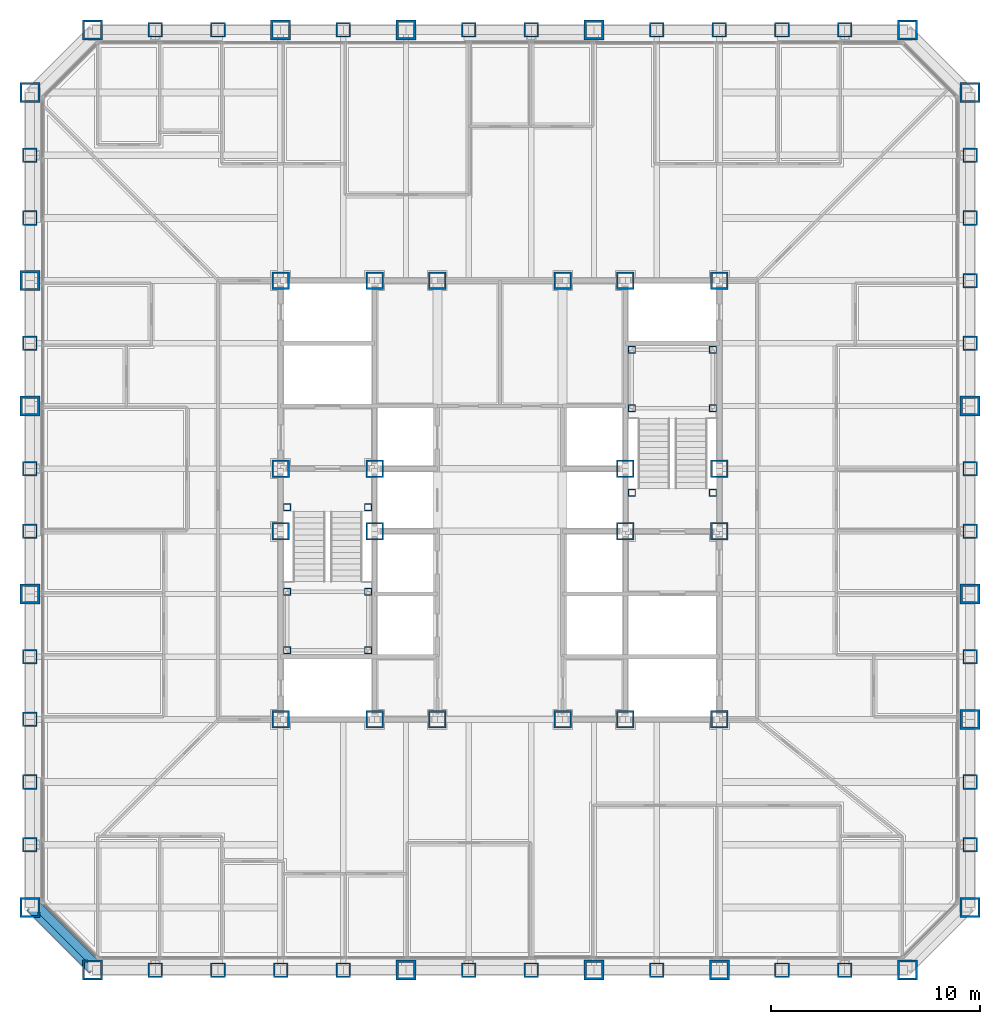
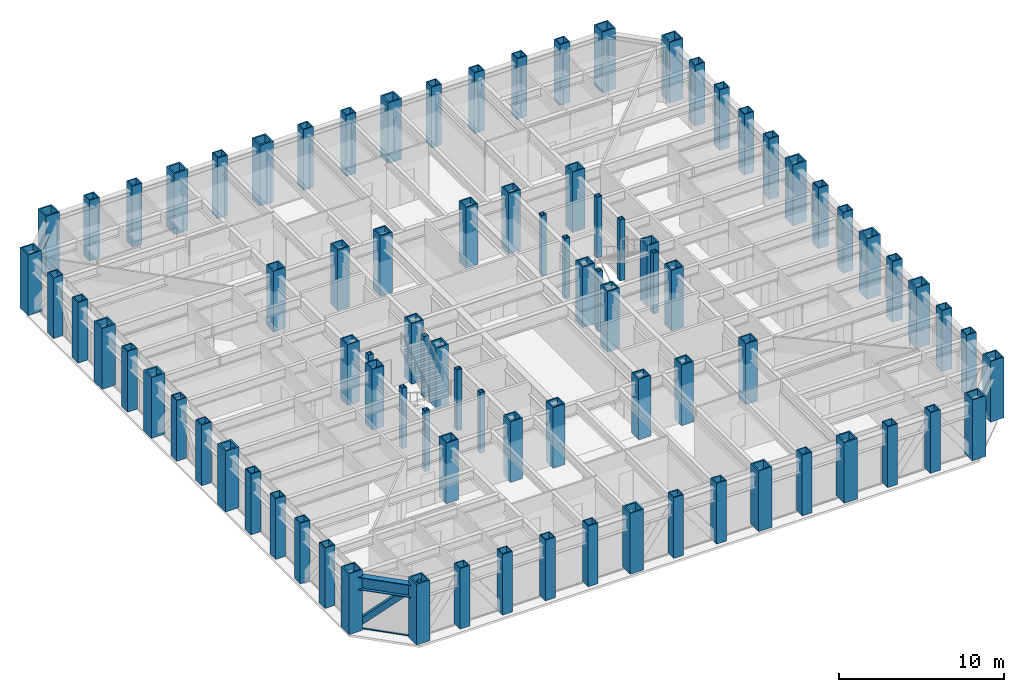
# One storey, part 1 of 17: 88 columns, 2 members, 1 beam, 1 element without a shape of its own.
"""IFC4 building model written with IfcOpenShell, lengths in metres."""

import ifcopenshell
import ifcopenshell.guid

model = None  # the IFC model being written
_history = None  # IfcOwnerHistory: only IFC2X3 demands one
_inside = {}  # id of a spatial element -> (the spatial element, [elements in it])
_under = {}  # id of a project, library or spatial element -> (it, [spatial elements below it])
_declared = {}  # id of a project -> (the project, [libraries it declares])
_typed = {}  # id of a type object -> (the type object, [elements of that type])
_made_of = {}  # id of a material, layer set ... -> (it, [elements and type objects made of it])


def new_model(schema):
    """Start an empty IFC model of exactly this schema.

    Asked for "IFC4X3", IfcOpenShell would pick the latest addendum, in which some entities
    have other attributes; the version numbers below select the first issue.
    IFC2X3 requires an IfcOwnerHistory on every rooted entity: one is made here for all.
    """
    global model, _history
    if schema == "IFC4X3":
        model = ifcopenshell.file(schema_version=(4, 3, 0, 0))
    else:
        model = ifcopenshell.file(schema=schema)
    _inside.clear()
    _under.clear()
    _declared.clear()
    _typed.clear()
    _made_of.clear()
    _history = None
    if model.schema == "IFC2X3":
        org = make("IfcOrganization", Name="unknown")
        user = make(
            "IfcPersonAndOrganization",
            ThePerson=make("IfcPerson", FamilyName="unknown"),
            TheOrganization=org,
        )
        app = make(
            "IfcApplication",
            ApplicationDeveloper=org,
            Version="unknown",
            ApplicationFullName="unknown",
            ApplicationIdentifier="unknown",
        )
        _history = make(
            "IfcOwnerHistory",
            OwningUser=user,
            OwningApplication=app,
            ChangeAction="ADDED",
            CreationDate=0,
        )
    return model


def make(cls, **values):
    """One entity of the class cls with the attributes given. An attribute that is None is left unset."""
    return model.create_entity(
        cls, **{name: value for name, value in values.items() if value is not None}
    )


def rooted(cls, **values):
    """An entity with a GlobalId (a new one), such as an element, a storey or a relation."""
    return make(cls, GlobalId=ifcopenshell.guid.new(), OwnerHistory=_history, **values)


def si_unit(unit_type, name, prefix=None):
    """IfcSIUnit, for example si_unit("LENGTHUNIT", "METRE", prefix="MILLI")."""
    return make("IfcSIUnit", UnitType=unit_type, Prefix=prefix, Name=name)


def assignment(units):
    """IfcUnitAssignment: the units of a project."""
    return None if units is None else make("IfcUnitAssignment", Units=units)


def point(xyz):
    """IfcCartesianPoint."""
    return None if xyz is None else make("IfcCartesianPoint", Coordinates=xyz)


def direction(xyz):
    """IfcDirection."""
    return None if xyz is None else make("IfcDirection", DirectionRatios=xyz)


def frame(location, z_axis=None, x_axis=None):
    """IfcAxis2Placement3D, a coordinate frame: its origin and axes. An axis left out is left unset."""
    return make(
        "IfcAxis2Placement3D",
        Location=point(location),
        Axis=direction(z_axis),
        RefDirection=direction(x_axis),
    )


def frame_2d(location, x_axis=None):
    """IfcAxis2Placement2D, a coordinate frame in the plane: its origin and x axis."""
    return make(
        "IfcAxis2Placement2D", Location=point(location), RefDirection=direction(x_axis)
    )


def origin():
    """The frame at (0, 0, 0) with its axes left unset."""
    return frame((0.0, 0.0, 0.0))


def origin_2d():
    """The frame at (0, 0) in the plane with its x axis left unset."""
    return frame_2d((0.0, 0.0))


def place(relative_to, where):
    """IfcLocalPlacement: puts the frame where relative to a parent placement (None: the world)."""
    return make(
        "IfcLocalPlacement", PlacementRelTo=relative_to, RelativePlacement=where
    )


def context(
    kind, dimensions, precision=None, world=None, true_north=None, identifier=None
):
    """IfcGeometricRepresentationContext, for example the 3D "Model" context."""
    return make(
        "IfcGeometricRepresentationContext",
        ContextIdentifier=identifier,
        ContextType=kind,
        CoordinateSpaceDimension=dimensions,
        Precision=precision,
        WorldCoordinateSystem=world,
        TrueNorth=true_north,
    )


def subcontext(parent, identifier, kind, view, scale=None):
    """IfcGeometricRepresentationSubContext, for example "Body" below "Model"."""
    return make(
        "IfcGeometricRepresentationSubContext",
        ContextIdentifier=identifier,
        ContextType=kind,
        ParentContext=parent,
        TargetScale=scale,
        TargetView=view,
    )


def project(units=None, contexts=None):
    """IfcProject with its units and contexts."""
    return rooted(
        "IfcProject",
        Name="project",
        RepresentationContexts=contexts,
        UnitsInContext=assignment(units),
    )


def spatial(cls, under=None, at=None, **own):
    """A site, building, storey or space (cls), placed at a placement, below another one or the project."""
    s = rooted(cls, ObjectPlacement=at, **own)
    if under is not None:
        _under.setdefault(under.id(), (under, []))[1].append(s)
    return s


def profile(cls, at=None, kind="AREA", **sizes):
    """A parametric profile (cls). Its sizes go by their IFC names, for example OverallWidth=200.0."""
    return make(cls, ProfileType=kind, Position=at, **sizes)


def rectangle(**sizes):
    """IfcRectangleProfileDef."""
    return profile("IfcRectangleProfileDef", **sizes)


def hollow_rectangle(**sizes):
    """IfcRectangleHollowProfileDef."""
    return profile("IfcRectangleHollowProfileDef", **sizes)


def i_section(**sizes):
    """IfcIShapeProfileDef."""
    return profile("IfcIShapeProfileDef", **sizes)


def extrude(swept, where, along, depth):
    """IfcExtrudedAreaSolid: the profile swept, set in the frame where, extruded along a direction by depth."""
    return make(
        "IfcExtrudedAreaSolid",
        SweptArea=swept,
        Position=where,
        ExtrudedDirection=direction(along),
        Depth=depth,
    )


def shape(context_of_items, identifier, shape_type, items):
    """IfcShapeRepresentation: the items that make up one representation, for example the "Body"."""
    return make(
        "IfcShapeRepresentation",
        ContextOfItems=context_of_items,
        RepresentationIdentifier=identifier,
        RepresentationType=shape_type,
        Items=items,
    )


def material(Name=None, Category=None):
    """IfcMaterial."""
    return make("IfcMaterial", Name=Name, Category=Category)


def layer(
    of_material, thickness, ventilated=None, Name=None, Category=None, Priority=None
):
    """IfcMaterialLayer: one layer of a wall or slab, of a material (None: an air gap)."""
    return make(
        "IfcMaterialLayer",
        Material=of_material,
        LayerThickness=thickness,
        IsVentilated=ventilated,
        Name=Name,
        Category=Category,
        Priority=Priority,
    )


def layer_set(layers, Name=None):
    """IfcMaterialLayerSet."""
    return make("IfcMaterialLayerSet", MaterialLayers=layers, LayerSetName=Name)


def material_profile(
    of_material, cross_section, Name=None, Category=None, Priority=None
):
    """IfcMaterialProfile: a cross section and its material."""
    return make(
        "IfcMaterialProfile",
        Name=Name,
        Material=of_material,
        Profile=cross_section,
        Priority=Priority,
        Category=Category,
    )


def profile_set(profiles, Name=None, composite=None):
    """IfcMaterialProfileSet."""
    return make(
        "IfcMaterialProfileSet",
        Name=Name,
        MaterialProfiles=profiles,
        CompositeProfile=composite,
    )


def made_of(thing, what):
    """Note that an element or type object is made of a material, layer set ...; save() writes the relation."""
    if what is not None:
        _made_of.setdefault(what.id(), (what, []))[1].append(thing)
    return thing


def type_object(cls, material=None, **own):
    """A type object (cls), such as IfcWallType, which elements share."""
    return made_of(rooted(cls, **own), material)


def element(
    cls,
    number,
    at=None,
    inside=None,
    cuts=None,
    type_object=None,
    material=None,
    context=None,
    identifier="Body",
    shape_type=None,
    held_by="IfcProductDefinitionShape",
    body=None,
    shapes=None,
    **own,
):
    """One element of the class cls, such as IfcWall. Its Tag is "e" and its number.

    at: its placement. inside: the storey or other place that contains it. cuts: it is an
    opening in that element (IfcRelVoidsElement). A single representation is given by context,
    identifier, shape_type and body (its items); several are given by shapes. held_by: the class
    of the entity that holds the representations. save() writes the other relations.
    """
    e = rooted(cls, Tag="e%d" % number, ObjectPlacement=at, **own)
    if body is not None:
        shapes = [shape(context, identifier, shape_type, body)]
    if shapes is not None:
        e.Representation = make(held_by, Representations=shapes)
    if inside is not None:
        _inside.setdefault(inside.id(), (inside, []))[1].append(e)
    if cuts is not None:
        rooted(
            "IfcRelVoidsElement", RelatingBuildingElement=cuts, RelatedOpeningElement=e
        )
    if type_object is not None:
        _typed.setdefault(type_object.id(), (type_object, []))[1].append(e)
    return made_of(e, material)


def aggregate(whole, parts):
    """IfcRelAggregates: a whole, such as a stair, and the parts it consists of."""
    return rooted("IfcRelAggregates", RelatingObject=whole, RelatedObjects=parts)


def save(model, path):
    """Write the relations noted so far, then the file.

    IfcRelAggregates (storeys below a building ...), IfcRelContainedInSpatialStructure (elements
    in a storey), IfcRelDefinesByType, IfcRelAssociatesMaterial and IfcRelDeclares: one each for
    every whole, place, type object, material and project.
    """
    for whole, parts in _under.values():
        aggregate(whole, parts)
    for where, things in _inside.values():
        rooted(
            "IfcRelContainedInSpatialStructure",
            RelatedElements=things,
            RelatingStructure=where,
        )
    for kind, things in _typed.values():
        rooted("IfcRelDefinesByType", RelatedObjects=things, RelatingType=kind)
    for what, things in _made_of.values():
        rooted("IfcRelAssociatesMaterial", RelatedObjects=things, RelatingMaterial=what)
    for by, libraries in _declared.values():
        rooted("IfcRelDeclares", RelatingContext=by, RelatedDefinitions=libraries)
    model.write(path)


model = new_model("IFC4")

# Units and contexts
model_context = context("Model", 3, precision=1e-05, world=origin(), true_north=direction((0.0, 1.0)))
body_context = subcontext(model_context, "Body", "Model", "MODEL_VIEW")
ifc_project = project(units=[si_unit("LENGTHUNIT", "METRE"), si_unit("AREAUNIT", "SQUARE_METRE"), si_unit("VOLUMEUNIT", "CUBIC_METRE"), si_unit("PLANEANGLEUNIT", "RADIAN"), si_unit("MASSUNIT", "GRAM", prefix="KILO")], contexts=[model_context])

# Site, building, storey
site_placement = place(None, origin())
site = spatial("IfcSite", under=ifc_project, at=site_placement, CompositionType="ELEMENT")
building_placement = place(site_placement, origin())
building = spatial("IfcBuilding", under=site, at=building_placement, Name="Chuquiago Exchange Tower", CompositionType="ELEMENT")
storey_placement = place(building_placement, frame((0.0, 0.0, 42.300048828125)))
storey = spatial("IfcBuildingStorey", under=building, at=storey_placement, Name="L08", CompositionType="ELEMENT", Elevation=42.300048828125)

# Columns
ifc_material_1 = material(Name="Steel ASTM A572 Grade 50", Category="steel")
ifc_material_profile_1 = material_profile(ifc_material_1, hollow_rectangle(XDim=0.699951171875, YDim=0.699951171875, WallThickness=0.070068359375, at=origin_2d()), Name="BOX700X700X70")
ifc_profile_set_1 = profile_set([ifc_material_profile_1], Name="Steel ASTM A572 Grade 50")
column_type_1 = type_object("IfcColumnType", Name="C2 BOX700X700X70", PredefinedType="COLUMN", material=ifc_profile_set_1)
for number, where, z_axis, x_axis, name in (
    (1, (6.0, 0.0, 0.0), (0.0, 0.0, 1.0), (0.0, -1.0, 0.0), "COL-L08-6_0"),
    (2, (9.0, 0.0, 0.0), (0.0, 0.0, 1.0), (0.0, -1.0, 0.0), "COL-L08-9_0"),
    (3, (12.0, 0.0, 0.0), (0.0, 0.0, 1.0), (0.0, -1.0, 0.0), "COL-L08-12_0"),
    (4, (15.0, 0.0, 0.0), (0.0, 0.0, 1.0), (0.0, -1.0, 0.0), "COL-L08-15_0"),
    (5, (21.0, 0.0, 0.0), (0.0, 0.0, 1.0), (0.0, -1.0, 0.0), "COL-L08-21_0"),
    (6, (24.0, 0.0, 0.0), (0.0, 0.0, 1.0), (0.0, -1.0, 0.0), "COL-L08-24_0"),
    (7, (30.0, 0.0, 0.0), (0.0, 0.0, 1.0), (0.0, -1.0, 0.0), "COL-L08-30_0"),
    (8, (36.0, 0.0, 0.0), (0.0, 0.0, 1.0), (0.0, -1.0, 0.0), "COL-L08-36_0"),
    (9, (39.0, 0.0, 0.0), (0.0, 0.0, 1.0), (0.0, -1.0, 0.0), "COL-L08-39_0"),
    (10, (45.0, 6.0, 0.0), (0.0, 0.0, 1.0), (1.0, 0.0, 0.0), "COL-L08-45_6"),
    (11, (45.0, 9.0, 0.0), (0.0, 0.0, 1.0), (1.0, 0.0, 0.0), "COL-L08-45_9"),
    (12, (45.0, 15.0, 0.0), (0.0, 0.0, 1.0), (1.0, 0.0, 0.0), "COL-L08-45_15"),
    (13, (45.0, 21.0, 0.0), (0.0, 0.0, 1.0), (1.0, 0.0, 0.0), "COL-L08-45_21"),
    (14, (45.0, 24.0, 0.0), (0.0, 0.0, 1.0), (1.0, 0.0, 0.0), "COL-L08-45_24"),
    (15, (45.0, 30.0, 0.0), (0.0, 0.0, 1.0), (1.0, 0.0, 0.0), "COL-L08-45_30"),
    (16, (45.0, 33.0, 0.0), (0.0, 0.0, 1.0), (1.0, 0.0, 0.0), "COL-L08-45_33"),
    (17, (45.0, 36.0, 0.0), (0.0, 0.0, 1.0), (1.0, 0.0, 0.0), "COL-L08-45_36"),
    (18, (45.0, 39.0, 0.0), (0.0, 0.0, 1.0), (1.0, 0.0, 0.0), "COL-L08-45_39"),
    (19, (39.0, 45.0, 0.0), (0.0, 0.0, 1.0), (0.0, 1.0, 0.0), "COL-L08-39_45"),
    (20, (36.0, 45.0, 0.0), (0.0, 0.0, 1.0), (0.0, 1.0, 0.0), "COL-L08-36_45"),
    (21, (33.0, 45.0, 0.0), (0.0, 0.0, 1.0), (0.0, 1.0, 0.0), "COL-L08-33_45"),
    (22, (30.0, 45.0, 0.0), (0.0, 0.0, 1.0), (0.0, 1.0, 0.0), "COL-L08-30_45"),
    (23, (24.0, 45.0, 0.0), (0.0, 0.0, 1.0), (0.0, 1.0, 0.0), "COL-L08-24_45"),
    (24, (21.0, 45.0, 0.0), (0.0, 0.0, 1.0), (0.0, 1.0, 0.0), "COL-L08-21_45"),
    (25, (15.0, 45.0, 0.0), (0.0, 0.0, 1.0), (0.0, 1.0, 0.0), "COL-L08-15_45"),
    (26, (9.0, 45.0, 0.0), (0.0, 0.0, 1.0), (0.0, 1.0, 0.0), "COL-L08-9_45"),
    (27, (6.0, 45.0, 0.0), (0.0, 0.0, 1.0), (0.0, 1.0, 0.0), "COL-L08-6_45"),
    (28, (0.0, 39.0, 0.0), (0.0, 0.0, 1.0), (-1.0, 0.0, 0.0), "COL-L08-0_39"),
    (29, (0.0, 36.0, 0.0), (0.0, 0.0, 1.0), (-1.0, 0.0, 0.0), "COL-L08-0_36"),
    (30, (0.0, 30.0, 0.0), (0.0, 0.0, 1.0), (-1.0, 0.0, 0.0), "COL-L08-0_30"),
    (31, (0.0, 24.0, 0.0), (0.0, 0.0, 1.0), (-1.0, 0.0, 0.0), "COL-L08-0_24"),
    (32, (0.0, 21.0, 0.0), (0.0, 0.0, 1.0), (-1.0, 0.0, 0.0), "COL-L08-0_21"),
    (33, (0.0, 15.0, 0.0), (0.0, 0.0, 1.0), (-1.0, 0.0, 0.0), "COL-L08-0_15"),
    (34, (0.0, 12.0, 0.0), (0.0, 0.0, 1.0), (-1.0, 0.0, 0.0), "COL-L08-0_12"),
    (35, (0.0, 9.0, 0.0), (0.0, 0.0, 1.0), (-1.0, 0.0, 0.0), "COL-L08-0_9"),
    (36, (0.0, 6.0, 0.0), (0.0, 0.0, 1.0), (-1.0, 0.0, 0.0), "COL-L08-0_6"),
):
    element("IfcColumn", number, at=place(storey_placement, frame(where, z_axis=z_axis, x_axis=x_axis)), inside=storey, type_object=column_type_1, Name=name, PredefinedType="COLUMN", context=body_context, shape_type="SweptSolid", body=[
        extrude(hollow_rectangle(XDim=0.699951171875, YDim=0.699951171875, WallThickness=0.070068359375, at=origin_2d()), origin(), (0.0, 0.0, 1.0), 4.5),
    ])
ifc_material_2 = material(Name="Steel ASTM A572 Grade 50", Category="steel")
ifc_material_profile_2 = material_profile(ifc_material_2, hollow_rectangle(XDim=0.85009765625, YDim=0.85009765625, WallThickness=0.0849609375, at=origin_2d()), Name="BOX850X850X85")
ifc_profile_set_2 = profile_set([ifc_material_profile_2], Name="Steel ASTM A572 Grade 50")
column_type_2 = type_object("IfcColumnType", Name="CC2 BOX850X850X85", PredefinedType="COLUMN", material=ifc_profile_set_2)
for number, where, z_axis, x_axis, name in (
    (37, (16.5, 12.0, 0.0), (0.0, 0.0, 1.0), (1.0, 0.0, 0.0), "CCOL-L08-16.5_12"),
    (38, (19.5, 12.0, 0.0), (0.0, 0.0, 1.0), (1.0, 0.0, 0.0), "CCOL-L08-19.5_12"),
    (39, (25.5, 12.0, 0.0), (0.0, 0.0, 1.0), (1.0, 0.0, 0.0), "CCOL-L08-25.5_12"),
    (40, (28.5, 12.0, 0.0), (0.0, 0.0, 1.0), (1.0, 0.0, 0.0), "CCOL-L08-28.5_12"),
    (41, (16.5, 33.0, 0.0), (0.0, 0.0, 1.0), (1.0, 0.0, 0.0), "CCOL-L08-16.5_33"),
    (42, (19.5, 33.0, 0.0), (0.0, 0.0, 1.0), (1.0, 0.0, 0.0), "CCOL-L08-19.5_33"),
    (43, (25.5, 33.0, 0.0), (0.0, 0.0, 1.0), (1.0, 0.0, 0.0), "CCOL-L08-25.5_33"),
    (44, (28.5, 33.0, 0.0), (0.0, 0.0, 1.0), (1.0, 0.0, 0.0), "CCOL-L08-28.5_33"),
    (45, (12.0, 21.0, 0.0), (0.0, 0.0, 1.0), (1.0, 0.0, 0.0), "CCOL-L08-12_21"),
    (46, (12.0, 24.0, 0.0), (0.0, 0.0, 1.0), (1.0, 0.0, 0.0), "CCOL-L08-12_24"),
    (47, (33.0, 21.0, 0.0), (0.0, 0.0, 1.0), (1.0, 0.0, 0.0), "CCOL-L08-33_21"),
    (48, (33.0, 24.0, 0.0), (0.0, 0.0, 1.0), (1.0, 0.0, 0.0), "CCOL-L08-33_24"),
    (49, (16.5, 21.0, 0.0), (0.0, 0.0, 1.0), (1.0, 0.0, 0.0), "CCOL-L08-16.5_21"),
    (50, (16.5, 24.0, 0.0), (0.0, 0.0, 1.0), (1.0, 0.0, 0.0), "CCOL-L08-16.5_24"),
    (51, (28.5, 21.0, 0.0), (0.0, 0.0, 1.0), (1.0, 0.0, 0.0), "CCOL-L08-28.5_21"),
    (52, (28.5, 24.0, 0.0), (0.0, 0.0, 1.0), (1.0, 0.0, 0.0), "CCOL-L08-28.5_24"),
):
    element("IfcColumn", number, at=place(storey_placement, frame(where, z_axis=z_axis, x_axis=x_axis)), inside=storey, type_object=column_type_2, Name=name, PredefinedType="COLUMN", context=body_context, shape_type="SweptSolid", body=[
        extrude(hollow_rectangle(XDim=0.85009765625, YDim=0.85009765625, WallThickness=0.0849609375, at=origin_2d()), origin(), (0.0, 0.0, 1.0), 4.5),
    ])
ifc_material_3 = material(Name="Steel ASTM A572 Grade 50", Category="steel")
ifc_material_profile_3 = material_profile(ifc_material_3, hollow_rectangle(XDim=0.85009765625, YDim=0.85009765625, WallThickness=0.0849609375, at=origin_2d()), Name="BOX850X850X85")
ifc_profile_set_3 = profile_set([ifc_material_profile_3], Name="Steel ASTM A572 Grade 50")
column_type_3 = type_object("IfcColumnType", Name="CC6 BOX850X850X85", PredefinedType="COLUMN", material=ifc_profile_set_3)
for number, where, z_axis, x_axis, name in (
    (53, (12.0, 12.0, 0.0), (0.0, 0.0, 1.0), (1.0, 0.0, 0.0), "CCOL-L08-12_12"),
    (54, (33.0, 12.0, 0.0), (0.0, 0.0, 1.0), (1.0, 0.0, 0.0), "CCOL-L08-33_12"),
    (55, (12.0, 33.0, 0.0), (0.0, 0.0, 1.0), (1.0, 0.0, 0.0), "CCOL-L08-12_33"),
    (56, (33.0, 33.0, 0.0), (0.0, 0.0, 1.0), (1.0, 0.0, 0.0), "CCOL-L08-33_33"),
):
    element("IfcColumn", number, at=place(storey_placement, frame(where, z_axis=z_axis, x_axis=x_axis)), inside=storey, type_object=column_type_3, Name=name, PredefinedType="COLUMN", context=body_context, shape_type="SweptSolid", body=[
        extrude(hollow_rectangle(XDim=0.85009765625, YDim=0.85009765625, WallThickness=0.0849609375, at=origin_2d()), origin(), (0.0, 0.0, 1.0), 4.5),
    ])
ifc_material_4 = material(Name="Steel ASTM A572 Grade 50", Category="steel")
ifc_material_profile_4 = material_profile(ifc_material_4, hollow_rectangle(XDim=0.949951171875, YDim=0.949951171875, WallThickness=0.094970703125, at=origin_2d()), Name="BOX950X950X95")
ifc_profile_set_4 = profile_set([ifc_material_profile_4], Name="Steel ASTM A572 Grade 50")
column_type_4 = type_object("IfcColumnType", Name="CN1 BOX950X950X95", PredefinedType="COLUMN", material=ifc_profile_set_4)
for number, where, z_axis, x_axis, name in (
    (57, (3.0, 0.0, 0.0), (0.0, 0.0, 1.0), (0.0, -1.0, 0.0), "COL-L08-3_0"),
    (58, (42.0, 0.0, 0.0), (0.0, 0.0, 1.0), (0.0, -1.0, 0.0), "COL-L08-42_0"),
    (59, (45.0, 3.0, 0.0), (0.0, 0.0, 1.0), (1.0, 0.0, 0.0), "COL-L08-45_3"),
    (60, (45.0, 42.0, 0.0), (0.0, 0.0, 1.0), (1.0, 0.0, 0.0), "COL-L08-45_42"),
    (61, (42.0, 45.0, 0.0), (0.0, 0.0, 1.0), (0.0, 1.0, 0.0), "COL-L08-42_45"),
    (62, (3.0, 45.0, 0.0), (0.0, 0.0, 1.0), (0.0, 1.0, 0.0), "COL-L08-3_45"),
    (63, (0.0, 42.0, 0.0), (0.0, 0.0, 1.0), (-1.0, 0.0, 0.0), "COL-L08-0_42"),
    (64, (0.0, 3.0, 0.0), (0.0, 0.0, 1.0), (-1.0, 0.0, 0.0), "COL-L08-0_3"),
):
    element("IfcColumn", number, at=place(storey_placement, frame(where, z_axis=z_axis, x_axis=x_axis)), inside=storey, type_object=column_type_4, Name=name, PredefinedType="COLUMN", context=body_context, shape_type="SweptSolid", body=[
        extrude(hollow_rectangle(XDim=0.949951171875, YDim=0.949951171875, WallThickness=0.094970703125, at=origin_2d()), origin(), (0.0, 0.0, 1.0), 4.5),
    ])
ifc_material_5 = material(Name="Steel ASTM A572 Grade 42", Category="steel")
ifc_material_profile_5 = material_profile(ifc_material_5, hollow_rectangle(XDim=0.949951171875, YDim=0.949951171875, WallThickness=0.110107421875, at=origin_2d()), Name="BOX950X950X110")
ifc_profile_set_5 = profile_set([ifc_material_profile_5], Name="Steel ASTM A572 Grade 42")
column_type_5 = type_object("IfcColumnType", Name="CT1 BOX950X950X110", PredefinedType="COLUMN", material=ifc_profile_set_5)
for number, where, z_axis, x_axis, name in (
    (65, (18.0, 0.0, 0.0), (0.0, 0.0, 1.0), (0.0, -1.0, 0.0), "COL-L08-18_0"),
    (66, (27.0, 0.0, 0.0), (0.0, 0.0, 1.0), (0.0, -1.0, 0.0), "COL-L08-27_0"),
    (67, (33.0, 0.0, 0.0), (0.0, 0.0, 1.0), (0.0, -1.0, 0.0), "COL-L08-33_0"),
    (68, (45.0, 12.0, 0.0), (0.0, 0.0, 1.0), (1.0, 0.0, 0.0), "COL-L08-45_12"),
    (69, (45.0, 18.0, 0.0), (0.0, 0.0, 1.0), (1.0, 0.0, 0.0), "COL-L08-45_18"),
    (70, (45.0, 27.0, 0.0), (0.0, 0.0, 1.0), (1.0, 0.0, 0.0), "COL-L08-45_27"),
    (71, (27.0, 45.0, 0.0), (0.0, 0.0, 1.0), (0.0, 1.0, 0.0), "COL-L08-27_45"),
    (72, (18.0, 45.0, 0.0), (0.0, 0.0, 1.0), (0.0, 1.0, 0.0), "COL-L08-18_45"),
    (73, (12.0, 45.0, 0.0), (0.0, 0.0, 1.0), (0.0, 1.0, 0.0), "COL-L08-12_45"),
    (74, (0.0, 33.0, 0.0), (0.0, 0.0, 1.0), (-1.0, 0.0, 0.0), "COL-L08-0_33"),
    (75, (0.0, 27.0, 0.0), (0.0, 0.0, 1.0), (-1.0, 0.0, 0.0), "COL-L08-0_27"),
    (76, (0.0, 18.0, 0.0), (0.0, 0.0, 1.0), (-1.0, 0.0, 0.0), "COL-L08-0_18"),
):
    element("IfcColumn", number, at=place(storey_placement, frame(where, z_axis=z_axis, x_axis=x_axis)), inside=storey, type_object=column_type_5, Name=name, PredefinedType="COLUMN", context=body_context, shape_type="SweptSolid", body=[
        extrude(hollow_rectangle(XDim=0.949951171875, YDim=0.949951171875, WallThickness=0.110107421875, at=origin_2d()), origin(), (0.0, 0.0, 1.0), 4.5),
    ])
ifc_material_6 = material(Name="Steel ASTM A572 Grade 50", Category="steel")
ifc_material_profile_6 = material_profile(ifc_material_6, hollow_rectangle(XDim=0.35009765625, YDim=0.35009765625, WallThickness=0.034912109375, at=origin_2d()), Name="BOX350X350X35")
ifc_profile_set_6 = profile_set([ifc_material_profile_6], Name="Steel ASTM A572 Grade 50")
column_type_6 = type_object("IfcColumnType", Name="PT3 BOX350X350X35", PredefinedType="COLUMN", material=ifc_profile_set_6)
for number, where, z_axis, x_axis, name in (
    (77, (12.31005859375, 15.31005859375, 0.0), (0.0, 0.0, 1.0), (1.0, 0.0, 0.0), "Stair ST1 L08 landing post"),
    (78, (16.18994140625, 15.31005859375, 0.0), (0.0, 0.0, 1.0), (1.0, 0.0, 0.0), "Stair ST1 L08 landing post"),
    (79, (12.31005859375, 18.110107421875, 0.0), (0.0, 0.0, 1.0), (1.0, 0.0, 0.0), "Stair ST1 L08 landing post"),
    (80, (16.18994140625, 18.110107421875, 0.0), (0.0, 0.0, 1.0), (1.0, 0.0, 0.0), "Stair ST1 L08 landing post"),
    (81, (12.31005859375, 22.14990234375, 0.0), (0.0, 0.0, 1.0), (1.0, 0.0, 0.0), "Stair ST1 L08 landing post"),
    (82, (16.18994140625, 22.14990234375, 0.0), (0.0, 0.0, 1.0), (1.0, 0.0, 0.0), "Stair ST1 L08 landing post"),
    (83, (28.81005859375, 29.68994140625, 0.0), (0.0, 0.0, 1.0), (1.0, 0.0, 0.0), "Stair ST2 L08 landing post"),
    (84, (32.68994140625, 29.68994140625, 0.0), (0.0, 0.0, 1.0), (1.0, 0.0, 0.0), "Stair ST2 L08 landing post"),
    (85, (28.81005859375, 26.889892578125, 0.0), (0.0, 0.0, 1.0), (1.0, 0.0, 0.0), "Stair ST2 L08 landing post"),
    (86, (32.68994140625, 26.889892578125, 0.0), (0.0, 0.0, 1.0), (1.0, 0.0, 0.0), "Stair ST2 L08 landing post"),
    (87, (28.81005859375, 22.85009765625, 0.0), (0.0, 0.0, 1.0), (1.0, 0.0, 0.0), "Stair ST2 L08 landing post"),
    (88, (32.68994140625, 22.85009765625, 0.0), (0.0, 0.0, 1.0), (1.0, 0.0, 0.0), "Stair ST2 L08 landing post"),
):
    element("IfcColumn", number, at=place(storey_placement, frame(where, z_axis=z_axis, x_axis=x_axis)), inside=storey, type_object=column_type_6, Name=name, PredefinedType="COLUMN", context=body_context, shape_type="SweptSolid", body=[
        extrude(hollow_rectangle(XDim=0.35009765625, YDim=0.35009765625, WallThickness=0.034912109375, at=origin_2d()), origin(), (0.0, 0.0, 1.0), 4.5),
    ])

# Curtain wall, member
ifc_material_7 = material(Name="Aluminium curtain wall system", Category="aluminium")
ifc_layer = layer(ifc_material_7, 0.199951171875)
ifc_layer_set = layer_set([ifc_layer], Name="CW3 facet curtain wall")
curtain_wall_type = type_object("IfcCurtainWallType", Name="CW3 facet curtain wall", PredefinedType="NOTDEFINED", material=ifc_layer_set)
curtain_wall_placement = place(storey_placement, origin())
curtain_wall = element("IfcCurtainWall", 89, at=curtain_wall_placement, inside=storey, type_object=curtain_wall_type, Name="CW3 curtain wall L08", PredefinedType="NOTDEFINED")
ifc_material_8 = material(Name="Aluminium transom, pale anodised", Category="aluminium")
ifc_material_profile_7 = material_profile(ifc_material_8, rectangle(XDim=0.139892578125, YDim=0.06494140625, at=origin_2d()), Name="AL 140x65")
ifc_profile_set_7 = profile_set([ifc_material_profile_7], Name="Aluminium transom, pale anodised")
member_type_1 = type_object("IfcMemberType", Name="CW3-T transom 65x140", PredefinedType="MULLION", material=ifc_profile_set_7)
member_1_placement = place(storey_placement, frame((0.64599609375, 3.20263671875, -0.267578125), z_axis=(0.707106781187, -0.707106781187, 0.0), x_axis=(0.707106781187, 0.707106781187, 0.0)))
member_1 = element("IfcMember", 90, at=member_1_placement, type_object=member_type_1, Name="CW3 transom 1.1", PredefinedType="MULLION", context=body_context, shape_type="SweptSolid", body=[
    extrude(rectangle(XDim=0.139892578125, YDim=0.06494140625, at=origin_2d()), origin(), (0.0, 0.0, 1.0), 3.61572265625),
])
aggregate(curtain_wall, [member_1])

# Member
ifc_material_9 = material(Name="Steel ASTM A500 Grade C", Category="steel")
ifc_material_profile_8 = material_profile(ifc_material_9, hollow_rectangle(XDim=0.406494140625, YDim=0.406494140625, WallThickness=0.0146484375, at=origin_2d()), Name="HSS16X16X5/8")
ifc_profile_set_8 = profile_set([ifc_material_profile_8], Name="Steel ASTM A500 Grade C")
member_type_2 = type_object("IfcMemberType", Name="LB4 HSS16X16X5/8", PredefinedType="BRACE", material=ifc_profile_set_8)
member_2_placement = place(storey_placement, frame((0.21337890625, 3.21337890625, 0.0), z_axis=(0.512077265487, -0.512077265487, 0.689604051861), x_axis=(0.707106781187, 0.707106781187, 0.0)))
element("IfcMember", 91, at=member_2_placement, inside=storey, type_object=member_type_2, Name="LB-L08-0_3-3_0", PredefinedType="BRACE", context=body_context, shape_type="SweptSolid", body=[
    extrude(hollow_rectangle(XDim=0.406494140625, YDim=0.406494140625, WallThickness=0.0146484375, at=origin_2d()), origin(), (0.0, 0.0, 1.0), 5.8583984375),
])

# Beam
ifc_material_10 = material(Name="Steel ASTM A992", Category="steel")
ifc_material_profile_9 = material_profile(ifc_material_10, i_section(OverallWidth=0.424072265625, OverallDepth=0.947509765625, WebThickness=0.02392578125, FlangeThickness=0.042724609375, at=origin_2d()), Name="W36X302")
ifc_profile_set_9 = profile_set([ifc_material_profile_9], Name="Steel ASTM A992")
beam_type = type_object("IfcBeamType", Name="SP1 W36X302", PredefinedType="SPANDREL", material=ifc_profile_set_9)
beam_placement = place(storey_placement, frame((0.0, 3.0, 3.566162109375), z_axis=(0.707106781187, -0.707106781187, 0.0), x_axis=(0.707106781187, 0.707106781187, 0.0)))
element("IfcBeam", 92, at=beam_placement, inside=storey, type_object=beam_type, Name="SPB-L09-0_3-3_0", PredefinedType="SPANDREL", context=body_context, shape_type="SweptSolid", body=[
    extrude(i_section(OverallWidth=0.424072265625, OverallDepth=0.947509765625, WebThickness=0.02392578125, FlangeThickness=0.042724609375, at=origin_2d()), origin(), (0.0, 0.0, 1.0), 4.24267578125),
])

save(model, "model.ifc")
